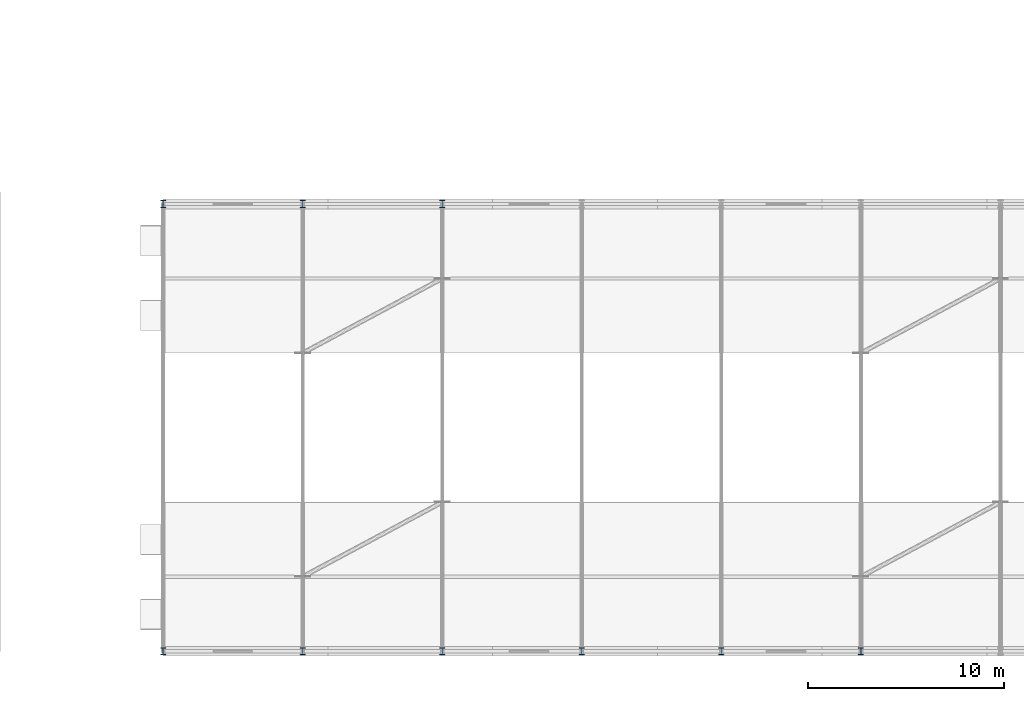
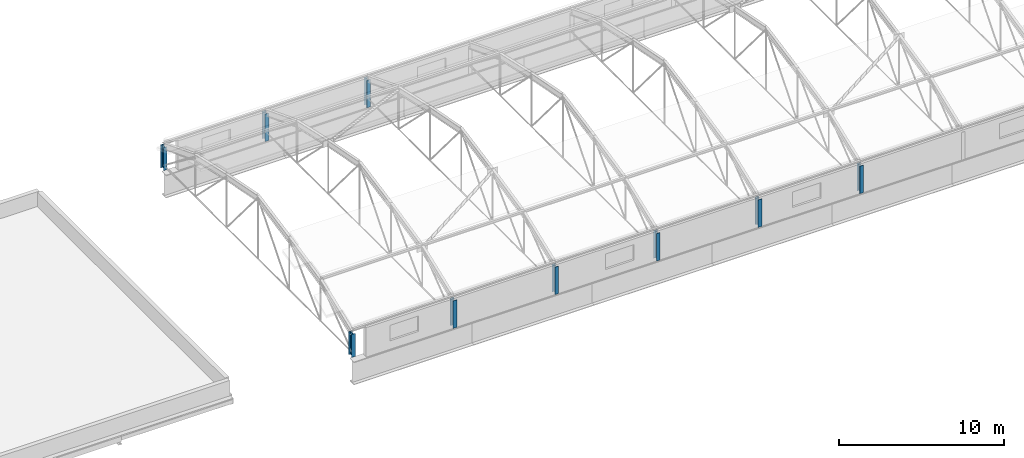
# One storey, part 1 of 53: 9 columns.
"""IFC4 building model written with IfcOpenShell, lengths in metres."""

from ifc_helpers import new_model, si_unit, direction, frame, origin_with_axes, origin_2d_with_axis, place, context, subcontext, project, spatial, i_section, extrude, material, material_profile, profile_set, type_object, element, save


model = new_model("IFC4")

# Units and contexts
model_context = context("Model", 3, precision=1e-05, world=origin_with_axes(), true_north=direction((0.0, 1.0)))
body_context = subcontext(model_context, "Body", "Model", "MODEL_VIEW")
ifc_project = project(units=[si_unit("LENGTHUNIT", "METRE"), si_unit("AREAUNIT", "SQUARE_METRE"), si_unit("VOLUMEUNIT", "CUBIC_METRE"), si_unit("PLANEANGLEUNIT", "RADIAN"), si_unit("MASSUNIT", "GRAM", prefix="KILO"), si_unit("THERMODYNAMICTEMPERATUREUNIT", "KELVIN")], contexts=[model_context])

# Site, building, storey
site_placement = place(None, origin_with_axes())
site = spatial("IfcSite", under=ifc_project, at=site_placement, CompositionType="ELEMENT")
building_placement = place(site_placement, origin_with_axes())
building = spatial("IfcBuilding", under=site, at=building_placement, Name="Montbau Bow Law Courts", CompositionType="ELEMENT")
storey_placement = place(building_placement, frame((0.0, 0.0, 39.0), z_axis=(0.0, 0.0, 1.0), x_axis=(1.0, 0.0, 0.0)))
storey = spatial("IfcBuildingStorey", under=building, at=storey_placement, Name="L08", CompositionType="ELEMENT", Elevation=39.0)

# Columns
ifc_material = material(Name="Steel CSA G40.21 Grade 350W (350 MPa)", Category="steel")
ifc_material_profile = material_profile(ifc_material, i_section(OverallWidth=0.257, OverallDepth=0.363, WebThickness=0.013, FlangeThickness=0.0217, at=origin_2d_with_axis()), Name="W360X122", Category="Main", Priority=0)
ifc_profile_set = profile_set([ifc_material_profile], Name="Steel CSA G40.21 Grade 350W (350 MPa)")
column_type = type_object("IfcColumnType", Name="C-STL-05", PredefinedType="COLUMN", material=ifc_profile_set)
for number, where, z_axis, x_axis, name in (
    (1, (55.2, 39.0, 39.0), (0.0, 0.0, 1.0), (1.0, 0.0, 0.0), "C-VLT-V3-01S:col2_1193"),
    (2, (55.2, 61.8, 39.0), (0.0, 0.0, 1.0), (1.0, 0.0, 0.0), "C-VLT-V3-01N:col2_1194"),
):
    element("IfcColumn", number, at=place(None, frame(where, z_axis=z_axis, x_axis=x_axis)), inside=storey, type_object=column_type, Name=name, PredefinedType="COLUMN", context=body_context, shape_type="SweptSolid", body=[
        extrude(i_section(OverallWidth=0.257, OverallDepth=0.363, WebThickness=0.013, FlangeThickness=0.0217, at=origin_2d_with_axis()), origin_with_axes(), (0.0, 0.0, 1.0), 1.7),
    ])
for number, where, z_axis, x_axis, name in (
    (3, (62.314, 39.0, 38.66), (0.0, 0.0, 1.0), (1.0, 0.0, 0.0), "C-VLT-V3-02S:col2_1195"),
    (4, (62.314, 61.8, 38.66), (0.0, 0.0, 1.0), (1.0, 0.0, 0.0), "C-VLT-V3-02N:col2_1196"),
    (5, (69.429, 39.0, 38.66), (0.0, 0.0, 1.0), (1.0, 0.0, 0.0), "C-VLT-V3-03S:col2_1197"),
    (6, (69.429, 61.8, 38.66), (0.0, 0.0, 1.0), (1.0, 0.0, 0.0), "C-VLT-V3-03N:col2_1198"),
    (7, (76.543, 39.0, 38.66), (0.0, 0.0, 1.0), (1.0, 0.0, 0.0), "C-VLT-V3-04S:col2_1199"),
    (8, (83.657, 39.0, 38.66), (0.0, 0.0, 1.0), (1.0, 0.0, 0.0), "C-VLT-V3-05S:col2_1201"),
    (9, (90.771, 39.0, 38.66), (0.0, 0.0, 1.0), (1.0, 0.0, 0.0), "C-VLT-V3-06S:col2_1203"),
):
    element("IfcColumn", number, at=place(None, frame(where, z_axis=z_axis, x_axis=x_axis)), inside=storey, type_object=column_type, Name=name, PredefinedType="COLUMN", context=body_context, shape_type="SweptSolid", body=[
        extrude(i_section(OverallWidth=0.257, OverallDepth=0.363, WebThickness=0.013, FlangeThickness=0.0217, at=origin_2d_with_axis()), origin_with_axes(), (0.0, 0.0, 1.0), 2.04),
    ])

save(model, "model.ifc")
